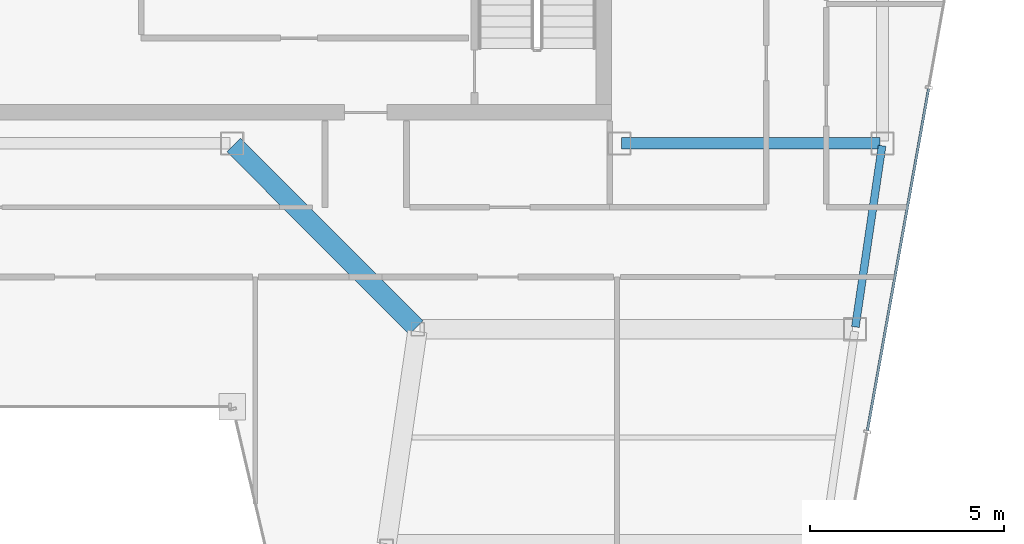
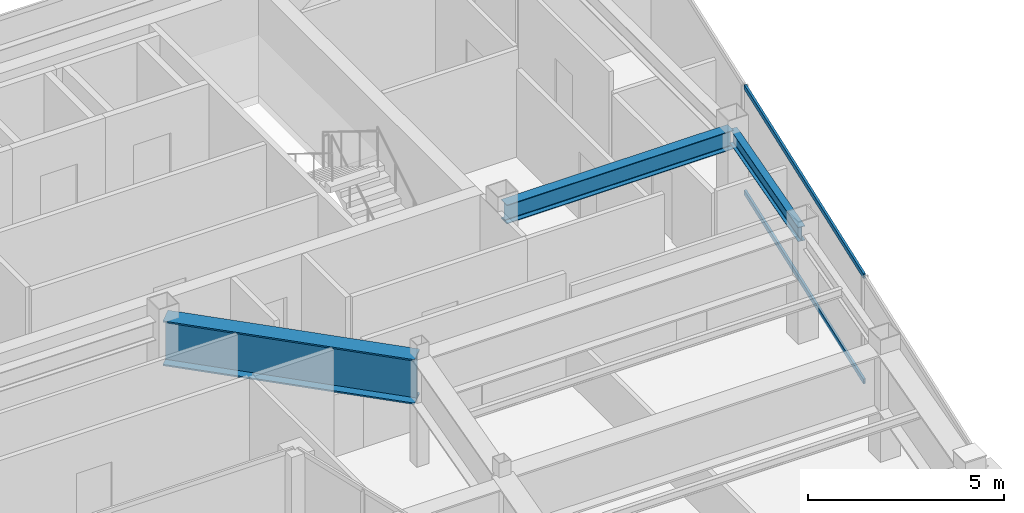
# One storey, part 16 of 30: 3 beams, 2 members, 1 element without a shape of its own.
"""IFC4 building model written with IfcOpenShell, lengths in metres."""

from ifc_helpers import new_model, si_unit, direction, frame, origin, origin_2d, place, context, subcontext, project, spatial, hollow_rectangle, i_section, extrude, material, material_profile, profile_set, type_object, element, aggregate, save


model = new_model("IFC4")

# Units and contexts
model_context = context("Model", 3, precision=1e-05, world=origin(), true_north=direction((0.0, 1.0)))
body_context = subcontext(model_context, "Body", "Model", "MODEL_VIEW")
ifc_project = project(units=[si_unit("LENGTHUNIT", "METRE"), si_unit("AREAUNIT", "SQUARE_METRE"), si_unit("VOLUMEUNIT", "CUBIC_METRE"), si_unit("PLANEANGLEUNIT", "RADIAN"), si_unit("MASSUNIT", "GRAM", prefix="KILO")], contexts=[model_context])

# Site, building, storey
site_placement = place(None, origin())
site = spatial("IfcSite", under=ifc_project, at=site_placement, CompositionType="ELEMENT")
building_placement = place(site_placement, origin())
building = spatial("IfcBuilding", under=site, at=building_placement, Name="Saevonmaru Cultural Tower", CompositionType="ELEMENT")
storey_placement = place(building_placement, frame((0.0, 0.0, 272.39990234375)))
storey = spatial("IfcBuildingStorey", under=building, at=storey_placement, Name="L64", CompositionType="ELEMENT", Elevation=272.39990234375)

# Beams
ifc_material_1 = material(Name="Steel SM355", Category="steel")
ifc_material_profile_1 = material_profile(ifc_material_1, i_section(OverallWidth=0.300048828125, OverallDepth=0.587890625, WebThickness=0.011962890625, FlangeThickness=0.02001953125, FilletRadius=0.02392578125, at=origin_2d()), Name="H-588x300x12x20")
ifc_profile_set_1 = profile_set([ifc_material_profile_1], Name="Steel SM355")
beam_type_1 = type_object("IfcBeamType", Name="BM-G-H588", PredefinedType="BEAM", material=ifc_profile_set_1)
beam_1_placement = place(storey_placement, frame((46.4599609375, 42.39990234375, 3.05615234375), z_axis=(1.0, 0.0, 0.0), x_axis=(0.0, 1.0, 0.0)))
element("IfcBeam", 1, at=beam_1_placement, inside=storey, type_object=beam_type_1, Name="L64 Core South Girder 5", PredefinedType="BEAM", context=body_context, shape_type="SweptSolid", body=[
    extrude(i_section(OverallWidth=0.300048828125, OverallDepth=0.587890625, WebThickness=0.011962890625, FlangeThickness=0.02001953125, FilletRadius=0.02392578125, at=origin_2d()), origin(), (0.0, 0.0, 1.0), 6.679931640625),
])
ifc_material_profile_2 = material_profile(ifc_material_1, i_section(OverallWidth=0.199951171875, OverallDepth=0.449951171875, WebThickness=0.009033203125, FlangeThickness=0.013916015625, FilletRadius=0.01806640625, at=origin_2d()), Name="H-450x200x9x14")
ifc_profile_set_2 = profile_set([ifc_material_profile_2], Name="Steel SM355")
beam_type_2 = type_object("IfcBeamType", Name="BM-SP-H450", PredefinedType="SPANDREL", material=ifc_profile_set_2)
beam_2_placement = place(storey_placement, frame((52.500732421875, 37.659423828125, 3.125), z_axis=(0.145912860028, 0.989297446312, 0.0), x_axis=(-0.989297446312, 0.145912860028, 0.0)))
element("IfcBeam", 2, at=beam_2_placement, inside=storey, type_object=beam_type_2, Name="L64 East Splayed Spandrel 3", PredefinedType="SPANDREL", context=body_context, shape_type="SweptSolid", body=[
    extrude(i_section(OverallWidth=0.199951171875, OverallDepth=0.449951171875, WebThickness=0.009033203125, FlangeThickness=0.013916015625, FilletRadius=0.01806640625, at=origin_2d()), origin(), (0.0, 0.0, 1.0), 4.731689453125),
])
ifc_material_2 = material(Name="Steel HSA600 (600 MPa)", Category="steel")
ifc_material_profile_3 = material_profile(ifc_material_2, i_section(OverallWidth=0.5, OverallDepth=1.39990234375, WebThickness=0.02392578125, FlangeThickness=0.044921875, at=origin_2d()), Name="PG-1400x500x24x45")
ifc_profile_set_3 = profile_set([ifc_material_profile_3], Name="Steel HSA600 (600 MPa)")
beam_type_3 = type_object("IfcBeamType", Name="BM-TG-PG1400", PredefinedType="BEAM", material=ifc_profile_set_3)
beam_3_placement = place(storey_placement, frame((41.149658203125, 37.642578125, 2.650146484375), z_axis=(-0.706538566564, 0.707674539572, 0.0), x_axis=(-0.707674539572, -0.706538566564, 0.0)))
element("IfcBeam", 3, at=beam_3_placement, inside=storey, type_object=beam_type_3, Name="L64 East Atrium Girder 3", PredefinedType="BEAM", context=body_context, shape_type="SweptSolid", body=[
    extrude(i_section(OverallWidth=0.5, OverallDepth=1.39990234375, WebThickness=0.02392578125, FlangeThickness=0.044921875, at=origin_2d()), origin(), (0.0, 0.0, 1.0), 6.662353515625),
])

# Curtain wall, members
ifc_material_3 = material(Name="Satin Bronze Anodised Aluminium", Category="aluminium")
curtain_wall_type = type_object("IfcCurtainWallType", Name="CW-TYP-B", PredefinedType="NOTDEFINED", material=ifc_material_3)
curtain_wall_placement = place(storey_placement, origin())
curtain_wall = element("IfcCurtainWall", 4, at=curtain_wall_placement, inside=storey, type_object=curtain_wall_type, Name="L64 Unitised Curtain Wall E8", PredefinedType="NOTDEFINED")
ifc_material_profile_4 = material_profile(ifc_material_3, hollow_rectangle(XDim=0.06494140625, YDim=0.14990234375, WallThickness=0.00390625, at=origin_2d()), Name="ALU-TRAN-150x65x4")
ifc_profile_set_4 = profile_set([ifc_material_profile_4], Name="Satin Bronze Anodised Aluminium")
member_type = type_object("IfcMemberType", Name="TR-CW-150x65", PredefinedType="USERDEFINED", material=ifc_profile_set_4)
member_1_placement = place(storey_placement, frame((52.812255859375, 34.985107421875, 0.03271484375), z_axis=(0.176123157264, 0.984368139202, 0.0), x_axis=(-0.984368139202, 0.176123157264, 0.0)))
member_1 = element("IfcMember", 5, at=member_1_placement, type_object=member_type, Name="CW-TW-L64-E8 transom 2.1", ObjectType="TRANSOM", PredefinedType="USERDEFINED", context=body_context, shape_type="SweptSolid", body=[
    extrude(hollow_rectangle(XDim=0.06494140625, YDim=0.14990234375, WallThickness=0.00390625, at=origin_2d()), origin(), (0.0, 0.0, 1.0), 8.969970703125),
])
member_2_placement = place(storey_placement, frame((52.812255859375, 34.985107421875, 3.317626953125), z_axis=(0.176123157264, 0.984368139202, 0.0), x_axis=(-0.984368139202, 0.176123157264, 0.0)))
member_2 = element("IfcMember", 6, at=member_2_placement, type_object=member_type, Name="CW-TW-L64-E8 transom 2.2", ObjectType="TRANSOM", PredefinedType="USERDEFINED", context=body_context, shape_type="SweptSolid", body=[
    extrude(hollow_rectangle(XDim=0.06494140625, YDim=0.14990234375, WallThickness=0.00390625, at=origin_2d()), origin(), (0.0, 0.0, 1.0), 8.969970703125),
])
aggregate(curtain_wall, [member_1, member_2])

save(model, "model.ifc")
